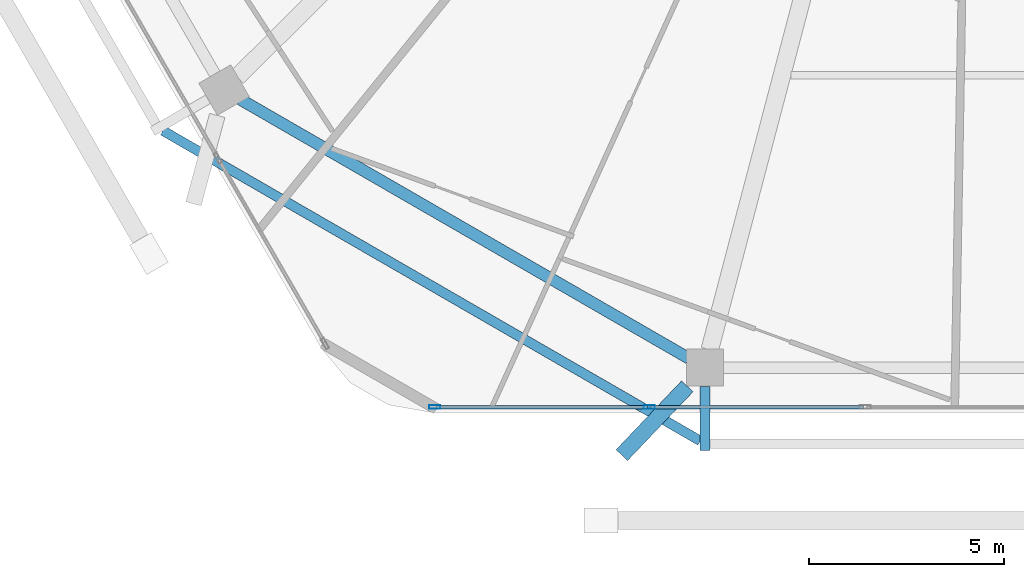
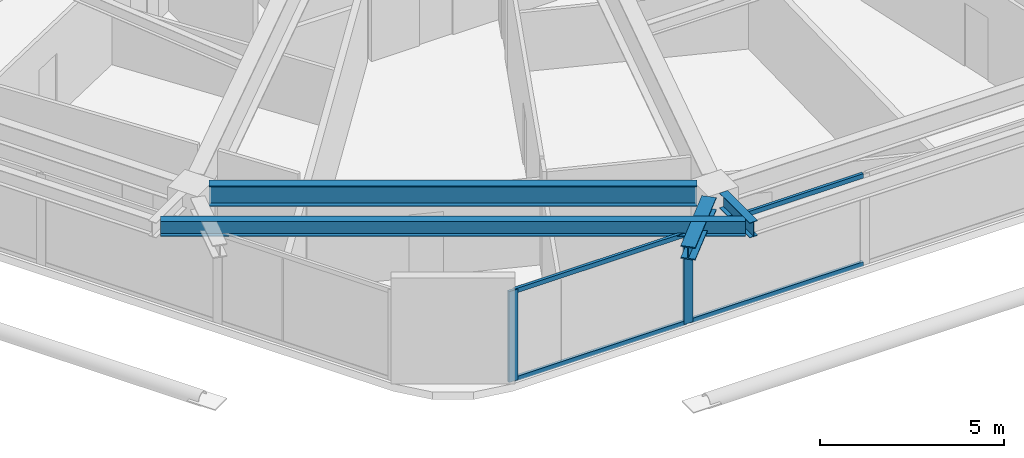
# One storey, part 3 of 28: 6 members, 4 beams, 1 element without a shape of its own.
"""IFC4 building model written with IfcOpenShell, lengths in metres."""

import ifcopenshell
import ifcopenshell.guid

model = None  # the IFC model being written
_history = None  # IfcOwnerHistory: only IFC2X3 demands one
_inside = {}  # id of a spatial element -> (the spatial element, [elements in it])
_under = {}  # id of a project, library or spatial element -> (it, [spatial elements below it])
_declared = {}  # id of a project -> (the project, [libraries it declares])
_typed = {}  # id of a type object -> (the type object, [elements of that type])
_made_of = {}  # id of a material, layer set ... -> (it, [elements and type objects made of it])


def new_model(schema):
    """Start an empty IFC model of exactly this schema.

    Asked for "IFC4X3", IfcOpenShell would pick the latest addendum, in which some entities
    have other attributes; the version numbers below select the first issue.
    IFC2X3 requires an IfcOwnerHistory on every rooted entity: one is made here for all.
    """
    global model, _history
    if schema == "IFC4X3":
        model = ifcopenshell.file(schema_version=(4, 3, 0, 0))
    else:
        model = ifcopenshell.file(schema=schema)
    _inside.clear()
    _under.clear()
    _declared.clear()
    _typed.clear()
    _made_of.clear()
    _history = None
    if model.schema == "IFC2X3":
        org = make("IfcOrganization", Name="unknown")
        user = make(
            "IfcPersonAndOrganization",
            ThePerson=make("IfcPerson", FamilyName="unknown"),
            TheOrganization=org,
        )
        app = make(
            "IfcApplication",
            ApplicationDeveloper=org,
            Version="unknown",
            ApplicationFullName="unknown",
            ApplicationIdentifier="unknown",
        )
        _history = make(
            "IfcOwnerHistory",
            OwningUser=user,
            OwningApplication=app,
            ChangeAction="ADDED",
            CreationDate=0,
        )
    return model


def make(cls, **values):
    """One entity of the class cls with the attributes given. An attribute that is None is left unset."""
    return model.create_entity(
        cls, **{name: value for name, value in values.items() if value is not None}
    )


def rooted(cls, **values):
    """An entity with a GlobalId (a new one), such as an element, a storey or a relation."""
    return make(cls, GlobalId=ifcopenshell.guid.new(), OwnerHistory=_history, **values)


def si_unit(unit_type, name, prefix=None):
    """IfcSIUnit, for example si_unit("LENGTHUNIT", "METRE", prefix="MILLI")."""
    return make("IfcSIUnit", UnitType=unit_type, Prefix=prefix, Name=name)


def assignment(units):
    """IfcUnitAssignment: the units of a project."""
    return None if units is None else make("IfcUnitAssignment", Units=units)


def point(xyz):
    """IfcCartesianPoint."""
    return None if xyz is None else make("IfcCartesianPoint", Coordinates=xyz)


def direction(xyz):
    """IfcDirection."""
    return None if xyz is None else make("IfcDirection", DirectionRatios=xyz)


def frame(location, z_axis=None, x_axis=None):
    """IfcAxis2Placement3D, a coordinate frame: its origin and axes. An axis left out is left unset."""
    return make(
        "IfcAxis2Placement3D",
        Location=point(location),
        Axis=direction(z_axis),
        RefDirection=direction(x_axis),
    )


def frame_2d(location, x_axis=None):
    """IfcAxis2Placement2D, a coordinate frame in the plane: its origin and x axis."""
    return make(
        "IfcAxis2Placement2D", Location=point(location), RefDirection=direction(x_axis)
    )


def origin():
    """The frame at (0, 0, 0) with its axes left unset."""
    return frame((0.0, 0.0, 0.0))


def origin_2d():
    """The frame at (0, 0) in the plane with its x axis left unset."""
    return frame_2d((0.0, 0.0))


def place(relative_to, where):
    """IfcLocalPlacement: puts the frame where relative to a parent placement (None: the world)."""
    return make(
        "IfcLocalPlacement", PlacementRelTo=relative_to, RelativePlacement=where
    )


def context(
    kind, dimensions, precision=None, world=None, true_north=None, identifier=None
):
    """IfcGeometricRepresentationContext, for example the 3D "Model" context."""
    return make(
        "IfcGeometricRepresentationContext",
        ContextIdentifier=identifier,
        ContextType=kind,
        CoordinateSpaceDimension=dimensions,
        Precision=precision,
        WorldCoordinateSystem=world,
        TrueNorth=true_north,
    )


def subcontext(parent, identifier, kind, view, scale=None):
    """IfcGeometricRepresentationSubContext, for example "Body" below "Model"."""
    return make(
        "IfcGeometricRepresentationSubContext",
        ContextIdentifier=identifier,
        ContextType=kind,
        ParentContext=parent,
        TargetScale=scale,
        TargetView=view,
    )


def project(units=None, contexts=None):
    """IfcProject with its units and contexts."""
    return rooted(
        "IfcProject",
        Name="project",
        RepresentationContexts=contexts,
        UnitsInContext=assignment(units),
    )


def spatial(cls, under=None, at=None, **own):
    """A site, building, storey or space (cls), placed at a placement, below another one or the project."""
    s = rooted(cls, ObjectPlacement=at, **own)
    if under is not None:
        _under.setdefault(under.id(), (under, []))[1].append(s)
    return s


def profile(cls, at=None, kind="AREA", **sizes):
    """A parametric profile (cls). Its sizes go by their IFC names, for example OverallWidth=200.0."""
    return make(cls, ProfileType=kind, Position=at, **sizes)


def hollow_rectangle(**sizes):
    """IfcRectangleHollowProfileDef."""
    return profile("IfcRectangleHollowProfileDef", **sizes)


def i_section(**sizes):
    """IfcIShapeProfileDef."""
    return profile("IfcIShapeProfileDef", **sizes)


def extrude(swept, where, along, depth):
    """IfcExtrudedAreaSolid: the profile swept, set in the frame where, extruded along a direction by depth."""
    return make(
        "IfcExtrudedAreaSolid",
        SweptArea=swept,
        Position=where,
        ExtrudedDirection=direction(along),
        Depth=depth,
    )


def shape(context_of_items, identifier, shape_type, items):
    """IfcShapeRepresentation: the items that make up one representation, for example the "Body"."""
    return make(
        "IfcShapeRepresentation",
        ContextOfItems=context_of_items,
        RepresentationIdentifier=identifier,
        RepresentationType=shape_type,
        Items=items,
    )


def material(Name=None, Category=None):
    """IfcMaterial."""
    return make("IfcMaterial", Name=Name, Category=Category)


def material_profile(
    of_material, cross_section, Name=None, Category=None, Priority=None
):
    """IfcMaterialProfile: a cross section and its material."""
    return make(
        "IfcMaterialProfile",
        Name=Name,
        Material=of_material,
        Profile=cross_section,
        Priority=Priority,
        Category=Category,
    )


def profile_set(profiles, Name=None, composite=None):
    """IfcMaterialProfileSet."""
    return make(
        "IfcMaterialProfileSet",
        Name=Name,
        MaterialProfiles=profiles,
        CompositeProfile=composite,
    )


def made_of(thing, what):
    """Note that an element or type object is made of a material, layer set ...; save() writes the relation."""
    if what is not None:
        _made_of.setdefault(what.id(), (what, []))[1].append(thing)
    return thing


def type_object(cls, material=None, **own):
    """A type object (cls), such as IfcWallType, which elements share."""
    return made_of(rooted(cls, **own), material)


def element(
    cls,
    number,
    at=None,
    inside=None,
    cuts=None,
    type_object=None,
    material=None,
    context=None,
    identifier="Body",
    shape_type=None,
    held_by="IfcProductDefinitionShape",
    body=None,
    shapes=None,
    **own,
):
    """One element of the class cls, such as IfcWall. Its Tag is "e" and its number.

    at: its placement. inside: the storey or other place that contains it. cuts: it is an
    opening in that element (IfcRelVoidsElement). A single representation is given by context,
    identifier, shape_type and body (its items); several are given by shapes. held_by: the class
    of the entity that holds the representations. save() writes the other relations.
    """
    e = rooted(cls, Tag="e%d" % number, ObjectPlacement=at, **own)
    if body is not None:
        shapes = [shape(context, identifier, shape_type, body)]
    if shapes is not None:
        e.Representation = make(held_by, Representations=shapes)
    if inside is not None:
        _inside.setdefault(inside.id(), (inside, []))[1].append(e)
    if cuts is not None:
        rooted(
            "IfcRelVoidsElement", RelatingBuildingElement=cuts, RelatedOpeningElement=e
        )
    if type_object is not None:
        _typed.setdefault(type_object.id(), (type_object, []))[1].append(e)
    return made_of(e, material)


def aggregate(whole, parts):
    """IfcRelAggregates: a whole, such as a stair, and the parts it consists of."""
    return rooted("IfcRelAggregates", RelatingObject=whole, RelatedObjects=parts)


def save(model, path):
    """Write the relations noted so far, then the file.

    IfcRelAggregates (storeys below a building ...), IfcRelContainedInSpatialStructure (elements
    in a storey), IfcRelDefinesByType, IfcRelAssociatesMaterial and IfcRelDeclares: one each for
    every whole, place, type object, material and project.
    """
    for whole, parts in _under.values():
        aggregate(whole, parts)
    for where, things in _inside.values():
        rooted(
            "IfcRelContainedInSpatialStructure",
            RelatedElements=things,
            RelatingStructure=where,
        )
    for kind, things in _typed.values():
        rooted("IfcRelDefinesByType", RelatedObjects=things, RelatingType=kind)
    for what, things in _made_of.values():
        rooted("IfcRelAssociatesMaterial", RelatedObjects=things, RelatingMaterial=what)
    for by, libraries in _declared.values():
        rooted("IfcRelDeclares", RelatingContext=by, RelatedDefinitions=libraries)
    model.write(path)


model = new_model("IFC4")

# Units and contexts
model_context = context("Model", 3, precision=1e-05, world=origin(), true_north=direction((0.0, 1.0)))
body_context = subcontext(model_context, "Body", "Model", "MODEL_VIEW")
ifc_project = project(units=[si_unit("LENGTHUNIT", "METRE"), si_unit("AREAUNIT", "SQUARE_METRE"), si_unit("VOLUMEUNIT", "CUBIC_METRE"), si_unit("PLANEANGLEUNIT", "RADIAN"), si_unit("MASSUNIT", "GRAM", prefix="KILO")], contexts=[model_context])

# Site, building, storey
site_placement = place(None, origin())
site = spatial("IfcSite", under=ifc_project, at=site_placement, CompositionType="ELEMENT")
building_placement = place(site_placement, origin())
building = spatial("IfcBuilding", under=site, at=building_placement, Name="Zuhravey Tower", CompositionType="ELEMENT")
storey_placement = place(building_placement, frame((0.0, 0.0, 222.60009765625)))
storey = spatial("IfcBuildingStorey", under=building, at=storey_placement, Name="L56", CompositionType="ELEMENT", Elevation=222.60009765625)

# Curtain wall, members
ifc_material_1 = material(Name="Thermally broken anodised aluminium", Category="aluminium")
curtain_wall_type = type_object("IfcCurtainWallType", Name="Zone 1-2 Residential Curtain Wall CW3", PredefinedType="NOTDEFINED", material=ifc_material_1)
curtain_wall_placement = place(storey_placement, origin())
curtain_wall = element("IfcCurtainWall", 1, at=curtain_wall_placement, inside=storey, type_object=curtain_wall_type, Name="L56 CW3 CW-L56-F5-1", PredefinedType="NOTDEFINED")
ifc_material_2 = material(Name="Anodised aluminium", Category="aluminium")
ifc_material_profile_1 = material_profile(ifc_material_2, hollow_rectangle(XDim=0.090087890625, YDim=0.284912109375, WallThickness=0.0048828125, at=origin_2d()), Name="ALU-RHS-90x285x5")
ifc_profile_set_1 = profile_set([ifc_material_profile_1], Name="Anodised aluminium")
member_type_1 = type_object("IfcMemberType", Name="Curtain-Wall Mullion 90x180", PredefinedType="MULLION", material=ifc_profile_set_1)
member_1_placement = place(storey_placement, frame((27.683349609375, 4.81689453125, 0.0), z_axis=(0.0, 0.0, 1.0), x_axis=(0.0, -1.0, 0.0)))
member_1 = element("IfcMember", 2, at=member_1_placement, type_object=member_type_1, Name="CW3 mullion 5", PredefinedType="MULLION", context=body_context, shape_type="SweptSolid", body=[
    extrude(hollow_rectangle(XDim=0.090087890625, YDim=0.284912109375, WallThickness=0.0048828125, at=origin_2d()), origin(), (0.0, 0.0, 1.0), 3.02001953125),
])
member_2_placement = place(storey_placement, frame((22.183837890625, 4.81689453125, 0.0), z_axis=(0.0, 0.0, 1.0), x_axis=(0.0, -1.0, 0.0)))
member_2 = element("IfcMember", 3, at=member_2_placement, type_object=member_type_1, Name="CW3 mullion 6", PredefinedType="MULLION", context=body_context, shape_type="SweptSolid", body=[
    extrude(hollow_rectangle(XDim=0.090087890625, YDim=0.284912109375, WallThickness=0.0048828125, at=origin_2d()), origin(), (0.0, 0.0, 1.0), 3.02001953125),
])
ifc_material_profile_2 = material_profile(ifc_material_2, hollow_rectangle(XDim=0.090087890625, YDim=0.14990234375, WallThickness=0.0048828125, at=origin_2d()), Name="ALU-RHS-90x150x5")
ifc_profile_set_2 = profile_set([ifc_material_profile_2], Name="Anodised aluminium")
member_type_2 = type_object("IfcMemberType", Name="Curtain-Wall Transom 90x150", PredefinedType="USERDEFINED", material=ifc_profile_set_2)
member_3_placement = place(storey_placement, frame((33.182861328125, 4.81689453125, 0.044921875), z_axis=(-1.0, 0.0, 0.0), x_axis=(0.0, -1.0, 0.0)))
member_3 = element("IfcMember", 4, at=member_3_placement, type_object=member_type_2, Name="CW3 transom 4.1", ObjectType="TRANSOM", PredefinedType="USERDEFINED", context=body_context, shape_type="SweptSolid", body=[
    extrude(hollow_rectangle(XDim=0.090087890625, YDim=0.14990234375, WallThickness=0.0048828125, at=origin_2d()), origin(), (0.0, 0.0, 1.0), 5.45458984375),
])
member_4_placement = place(storey_placement, frame((33.182861328125, 4.81689453125, 2.974853515625), z_axis=(-1.0, 0.0, 0.0), x_axis=(0.0, -1.0, 0.0)))
member_4 = element("IfcMember", 5, at=member_4_placement, type_object=member_type_2, Name="CW3 transom 4.2", ObjectType="TRANSOM", PredefinedType="USERDEFINED", context=body_context, shape_type="SweptSolid", body=[
    extrude(hollow_rectangle(XDim=0.090087890625, YDim=0.14990234375, WallThickness=0.0048828125, at=origin_2d()), origin(), (0.0, 0.0, 1.0), 5.45458984375),
])
member_5_placement = place(storey_placement, frame((27.638427734375, 4.81689453125, 0.044921875), z_axis=(-1.0, 0.0, 0.0), x_axis=(0.0, -1.0, 0.0)))
member_5 = element("IfcMember", 6, at=member_5_placement, type_object=member_type_2, Name="CW3 transom 5.1", ObjectType="TRANSOM", PredefinedType="USERDEFINED", context=body_context, shape_type="SweptSolid", body=[
    extrude(hollow_rectangle(XDim=0.090087890625, YDim=0.14990234375, WallThickness=0.0048828125, at=origin_2d()), origin(), (0.0, 0.0, 1.0), 5.409423828125),
])
member_6_placement = place(storey_placement, frame((27.638427734375, 4.81689453125, 2.974853515625), z_axis=(-1.0, 0.0, 0.0), x_axis=(0.0, -1.0, 0.0)))
member_6 = element("IfcMember", 7, at=member_6_placement, type_object=member_type_2, Name="CW3 transom 5.2", ObjectType="TRANSOM", PredefinedType="USERDEFINED", context=body_context, shape_type="SweptSolid", body=[
    extrude(hollow_rectangle(XDim=0.090087890625, YDim=0.14990234375, WallThickness=0.0048828125, at=origin_2d()), origin(), (0.0, 0.0, 1.0), 5.409423828125),
])
aggregate(curtain_wall, [member_1, member_2, member_3, member_4, member_5, member_6])

# Beams
ifc_material_3 = material(Name="Steel SM460", Category="steel")
ifc_material_profile_3 = material_profile(ifc_material_3, i_section(OverallWidth=0.406982421875, OverallDepth=0.427978515625, WebThickness=0.02001953125, FlangeThickness=0.034912109375, at=origin_2d()), Name="H-428x407x20x35")
ifc_profile_set_3 = profile_set([ifc_material_profile_3], Name="Steel SM460")
beam_type_1 = type_object("IfcBeamType", Name="Exoskeleton Node Tie Beam H428x407", PredefinedType="BEAM", material=ifc_profile_set_3)
beam_1_placement = place(storey_placement, frame((28.6630859375, 5.34912109375, 3.305908203125), z_axis=(-0.689425202615, -0.724356880273, 0.0), x_axis=(0.724356880273, -0.689425202615, 0.0)))
element("IfcBeam", 8, at=beam_1_placement, inside=storey, type_object=beam_type_1, Name="L56 Exoskeleton Node Tie NT1-09", PredefinedType="BEAM", context=body_context, shape_type="SweptSolid", body=[
    extrude(i_section(OverallWidth=0.406982421875, OverallDepth=0.427978515625, WebThickness=0.02001953125, FlangeThickness=0.034912109375, at=origin_2d()), origin(), (0.0, 0.0, 1.0), 2.439208984375),
])
ifc_material_4 = material(Name="Steel SM355", Category="steel")
ifc_material_profile_4 = material_profile(ifc_material_4, i_section(OverallWidth=0.300048828125, OverallDepth=0.679931640625, WebThickness=0.012939453125, FlangeThickness=0.02197265625, at=origin_2d()), Name="H-680x300x13x22")
ifc_profile_set_4 = profile_set([ifc_material_profile_4], Name="Steel SM355")
beam_type_2 = type_object("IfcBeamType", Name="Perimeter Ring Beam H680x300", PredefinedType="BEAM", material=ifc_profile_set_4)
beam_2_placement = place(storey_placement, frame((17.1884765625, 12.71435546875, 3.179931640625), z_axis=(0.866029041019, -0.499993700073, 0.0), x_axis=(0.499993700073, 0.866029041019, 0.0)))
element("IfcBeam", 9, at=beam_2_placement, inside=storey, type_object=beam_type_2, Name="L56 PB2 BM-L56-PB-08", PredefinedType="BEAM", context=body_context, shape_type="SweptSolid", body=[
    extrude(i_section(OverallWidth=0.300048828125, OverallDepth=0.679931640625, WebThickness=0.012939453125, FlangeThickness=0.02197265625, at=origin_2d()), origin(), (0.0, 0.0, 1.0), 13.297119140625),
])
ifc_material_profile_5 = material_profile(ifc_material_4, i_section(OverallWidth=0.25, OverallDepth=0.5, WebThickness=0.010009765625, FlangeThickness=0.01611328125, at=origin_2d()), Name="H-500x250x10x16")
ifc_profile_set_5 = profile_set([ifc_material_profile_5], Name="Steel SM355")
beam_type_3 = type_object("IfcBeamType", Name="Tray Cantilever Spandrel H500x250", PredefinedType="SPANDREL", material=ifc_profile_set_5)
beam_3_placement = place(storey_placement, frame((29.117919921875, 5.347900390625, 3.27001953125), z_axis=(0.0, -1.0, 0.0), x_axis=(1.0, 0.0, 0.0)))
element("IfcBeam", 10, at=beam_3_placement, inside=storey, type_object=beam_type_3, Name="L56 Sky-Tray Cantilever Arm TSB1-R09", PredefinedType="SPANDREL", context=body_context, shape_type="SweptSolid", body=[
    extrude(i_section(OverallWidth=0.25, OverallDepth=0.5, WebThickness=0.010009765625, FlangeThickness=0.01611328125, at=origin_2d()), origin(), (0.0, 0.0, 1.0), 1.64111328125),
])
beam_4_placement = place(storey_placement, frame((15.20703125, 11.908447265625, 3.27001953125), z_axis=(0.866028559073, -0.49999453484, 0.0), x_axis=(0.49999453484, 0.866028559073, 0.0)))
element("IfcBeam", 11, at=beam_4_placement, inside=storey, type_object=beam_type_3, Name="L56 Sky-Tray Edge Spandrel TSB1-08", PredefinedType="SPANDREL", context=body_context, shape_type="SweptSolid", body=[
    extrude(i_section(OverallWidth=0.25, OverallDepth=0.5, WebThickness=0.010009765625, FlangeThickness=0.01611328125, at=origin_2d()), origin(), (0.0, 0.0, 1.0), 15.923095703125),
])

save(model, "model.ifc")
